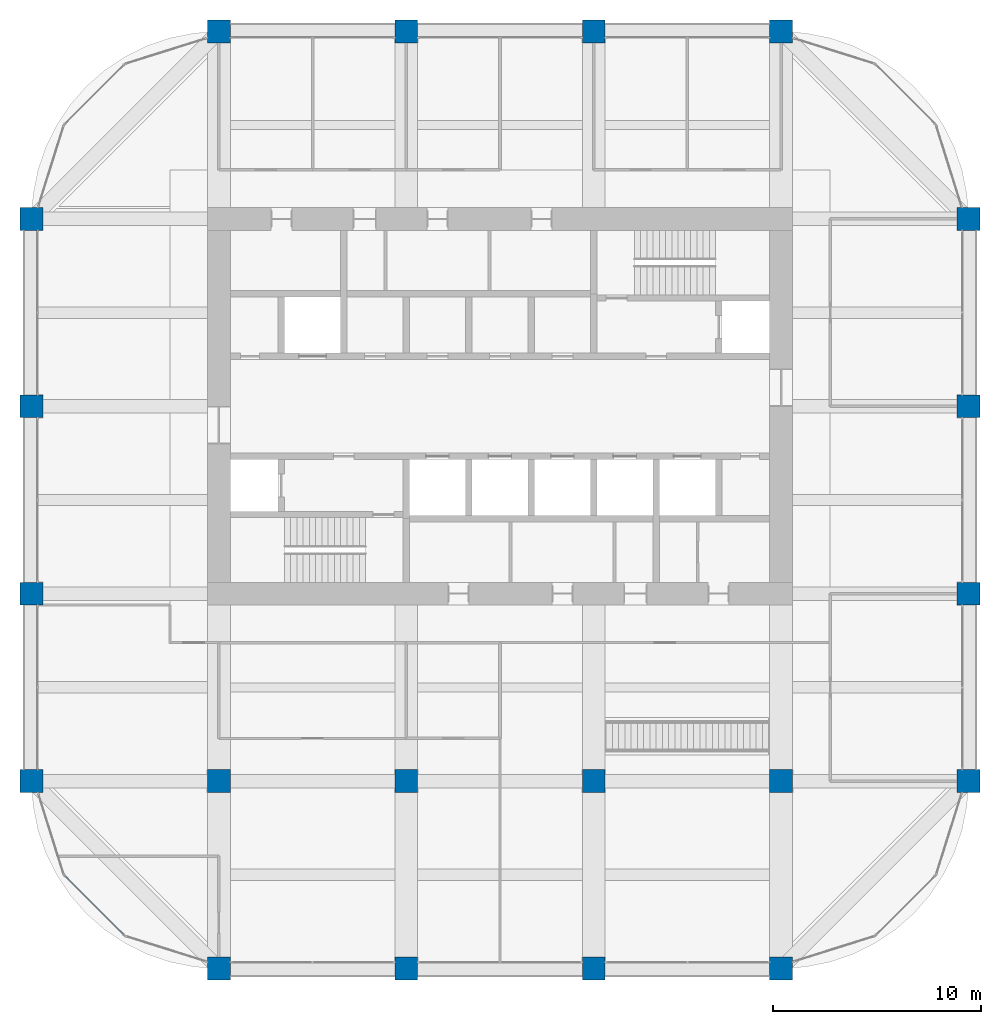
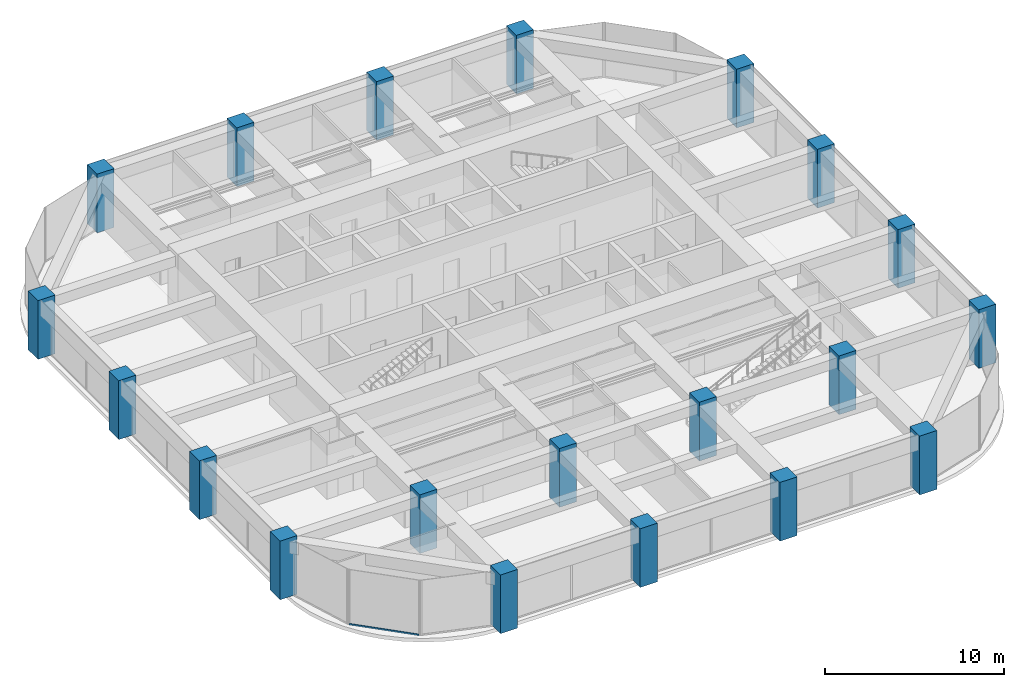
# One storey, part 1 of 44: 20 columns, 1 member, 1 element without a shape of its own.
"""IFC4 building model written with IfcOpenShell, lengths in metres."""

from ifc_helpers import new_model, si_unit, direction, frame, origin, origin_2d, place, context, subcontext, project, spatial, rectangle, hollow_rectangle, extrude, material, material_profile, profile_set, type_object, element, aggregate, save


model = new_model("IFC4")

# Units and contexts
model_context = context("Model", 3, precision=1e-05, world=origin(), true_north=direction((0.0, 1.0)))
body_context = subcontext(model_context, "Body", "Model", "MODEL_VIEW")
ifc_project = project(units=[si_unit("LENGTHUNIT", "METRE"), si_unit("AREAUNIT", "SQUARE_METRE"), si_unit("VOLUMEUNIT", "CUBIC_METRE"), si_unit("PLANEANGLEUNIT", "RADIAN"), si_unit("MASSUNIT", "GRAM", prefix="KILO")], contexts=[model_context])

# Site, building, storey
site_placement = place(None, origin())
site = spatial("IfcSite", under=ifc_project, at=site_placement, CompositionType="ELEMENT")
building_placement = place(site_placement, origin())
building = spatial("IfcBuilding", under=site, at=building_placement, Name="Zorevar Civic Tower", CompositionType="ELEMENT")
storey_placement = place(building_placement, frame((0.0, 0.0, 251.39990234375)))
storey = spatial("IfcBuildingStorey", under=building, at=storey_placement, Name="L61", CompositionType="ELEMENT", Elevation=251.39990234375)

# Columns
ifc_material_1 = material(Name="Concrete C50/60", Category="concrete")
ifc_material_profile_1 = material_profile(ifc_material_1, rectangle(XDim=1.10009765625, YDim=1.10009765625, at=origin_2d()), Name="RC 1100x1100")
ifc_profile_set_1 = profile_set([ifc_material_profile_1], Name="Concrete C50/60")
column_type = type_object("IfcColumnType", Name="Column RC 1100x1100", PredefinedType="COLUMN", material=ifc_profile_set_1)
for number, where, z_axis, x_axis, name in (
    (1, (9.0, 9.0, 0.0), (0.0, 0.0, 1.0), (1.0, 0.0, 0.0), "Column 3B L61"),
    (2, (9.0, 18.0, 0.0), (0.0, 0.0, 1.0), (1.0, 0.0, 0.0), "Column 3C L61"),
    (3, (9.0, 27.0, 0.0), (0.0, 0.0, 1.0), (1.0, 0.0, 0.0), "Column 3D L61"),
    (4, (9.0, 36.0, 0.0), (0.0, 0.0, 1.0), (1.0, 0.0, 0.0), "Column 3E L61"),
    (5, (18.0, 0.0, 0.0), (0.0, 0.0, 1.0), (1.0, 0.0, 0.0), "Column 4A L61"),
    (6, (18.0, 9.0, 0.0), (0.0, 0.0, 1.0), (1.0, 0.0, 0.0), "Column 4B L61"),
    (7, (18.0, 45.0, 0.0), (0.0, 0.0, 1.0), (1.0, 0.0, 0.0), "Column 4F L61"),
    (8, (27.0, 0.0, 0.0), (0.0, 0.0, 1.0), (1.0, 0.0, 0.0), "Column 5A L61"),
    (9, (27.0, 9.0, 0.0), (0.0, 0.0, 1.0), (1.0, 0.0, 0.0), "Column 5B L61"),
    (10, (27.0, 45.0, 0.0), (0.0, 0.0, 1.0), (1.0, 0.0, 0.0), "Column 5F L61"),
    (11, (36.0, 0.0, 0.0), (0.0, 0.0, 1.0), (1.0, 0.0, 0.0), "Column 6A L61"),
    (12, (36.0, 9.0, 0.0), (0.0, 0.0, 1.0), (1.0, 0.0, 0.0), "Column 6B L61"),
    (13, (36.0, 45.0, 0.0), (0.0, 0.0, 1.0), (1.0, 0.0, 0.0), "Column 6F L61"),
    (14, (45.0, 0.0, 0.0), (0.0, 0.0, 1.0), (1.0, 0.0, 0.0), "Column 7A L61"),
    (15, (45.0, 9.0, 0.0), (0.0, 0.0, 1.0), (1.0, 0.0, 0.0), "Column 7B L61"),
    (16, (45.0, 45.0, 0.0), (0.0, 0.0, 1.0), (1.0, 0.0, 0.0), "Column 7F L61"),
    (17, (54.0, 9.0, 0.0), (0.0, 0.0, 1.0), (1.0, 0.0, 0.0), "Column 8B L61"),
    (18, (54.0, 18.0, 0.0), (0.0, 0.0, 1.0), (1.0, 0.0, 0.0), "Column 8C L61"),
    (19, (54.0, 27.0, 0.0), (0.0, 0.0, 1.0), (1.0, 0.0, 0.0), "Column 8D L61"),
    (20, (54.0, 36.0, 0.0), (0.0, 0.0, 1.0), (1.0, 0.0, 0.0), "Column 8E L61"),
):
    element("IfcColumn", number, at=place(storey_placement, frame(where, z_axis=z_axis, x_axis=x_axis)), inside=storey, type_object=column_type, Name=name, PredefinedType="COLUMN", context=body_context, shape_type="SweptSolid", body=[
        extrude(rectangle(XDim=1.10009765625, YDim=1.10009765625, at=origin_2d()), origin(), (0.0, 0.0, 1.0), 4.0),
    ])

# Curtain wall, member
ifc_material_2 = material(Name="Dark grey solar-control glass in black aluminium frame", Category="aluminium")
curtain_wall_type = type_object("IfcCurtainWallType", Name="Curtain wall CW5 top zone", PredefinedType="NOTDEFINED", material=ifc_material_2)
curtain_wall_placement = place(storey_placement, origin())
curtain_wall = element("IfcCurtainWall", 21, at=curtain_wall_placement, inside=storey, type_object=curtain_wall_type, Name="CW5 L61", PredefinedType="NOTDEFINED")
ifc_material_3 = material(Name="Aluminium, black anodised", Category="aluminium")
ifc_material_profile_2 = material_profile(ifc_material_3, hollow_rectangle(XDim=0.06005859375, YDim=0.1201171875, WallThickness=0.0029296875, at=origin_2d()), Name="AL 120x60x3")
ifc_profile_set_2 = profile_set([ifc_material_profile_2], Name="Aluminium, black anodised")
member_type = type_object("IfcMemberType", Name="CW5 transom AL 120x60x3", PredefinedType="USERDEFINED", material=ifc_profile_set_2)
member_placement = place(storey_placement, frame((10.6015625, 4.44970703125, 0.030029296875), z_axis=(0.707106781187, -0.707106781187, 0.0), x_axis=(0.707106781187, 0.707106781187, 0.0)))
member = element("IfcMember", 22, at=member_placement, type_object=member_type, Name="CW5 sill transom", ObjectType="TRANSOM", PredefinedType="USERDEFINED", context=body_context, shape_type="SweptSolid", body=[
    extrude(hollow_rectangle(XDim=0.06005859375, YDim=0.1201171875, WallThickness=0.0029296875, at=origin_2d()), origin(), (0.0, 0.0, 1.0), 4.02783203125),
])
aggregate(curtain_wall, [member])

save(model, "model.ifc")
